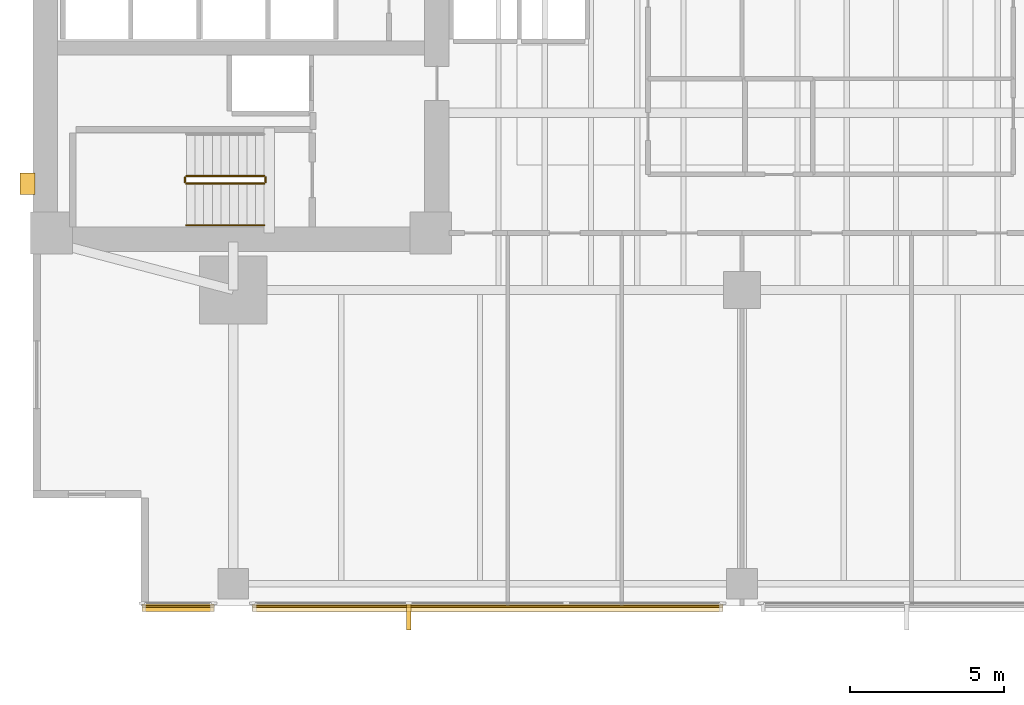
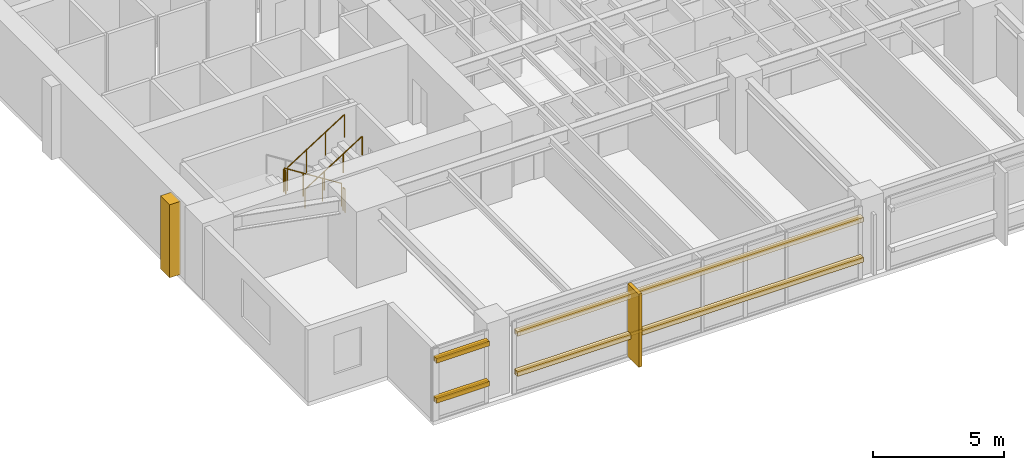
# One storey, part 12 of 15: 6 coverings, 5 railings, 4 shading devices.
"""IFC4 building model written with IfcOpenShell, lengths in metres."""

import ifcopenshell
import ifcopenshell.guid

model = None  # the IFC model being written
_history = None  # IfcOwnerHistory: only IFC2X3 demands one
_inside = {}  # id of a spatial element -> (the spatial element, [elements in it])
_under = {}  # id of a project, library or spatial element -> (it, [spatial elements below it])
_declared = {}  # id of a project -> (the project, [libraries it declares])
_typed = {}  # id of a type object -> (the type object, [elements of that type])
_made_of = {}  # id of a material, layer set ... -> (it, [elements and type objects made of it])


def new_model(schema):
    """Start an empty IFC model of exactly this schema.

    Asked for "IFC4X3", IfcOpenShell would pick the latest addendum, in which some entities
    have other attributes; the version numbers below select the first issue.
    IFC2X3 requires an IfcOwnerHistory on every rooted entity: one is made here for all.
    """
    global model, _history
    if schema == "IFC4X3":
        model = ifcopenshell.file(schema_version=(4, 3, 0, 0))
    else:
        model = ifcopenshell.file(schema=schema)
    _inside.clear()
    _under.clear()
    _declared.clear()
    _typed.clear()
    _made_of.clear()
    _history = None
    if model.schema == "IFC2X3":
        org = make("IfcOrganization", Name="unknown")
        user = make(
            "IfcPersonAndOrganization",
            ThePerson=make("IfcPerson", FamilyName="unknown"),
            TheOrganization=org,
        )
        app = make(
            "IfcApplication",
            ApplicationDeveloper=org,
            Version="unknown",
            ApplicationFullName="unknown",
            ApplicationIdentifier="unknown",
        )
        _history = make(
            "IfcOwnerHistory",
            OwningUser=user,
            OwningApplication=app,
            ChangeAction="ADDED",
            CreationDate=0,
        )
    return model


def make(cls, **values):
    """One entity of the class cls with the attributes given. An attribute that is None is left unset."""
    return model.create_entity(
        cls, **{name: value for name, value in values.items() if value is not None}
    )


def rooted(cls, **values):
    """An entity with a GlobalId (a new one), such as an element, a storey or a relation."""
    return make(cls, GlobalId=ifcopenshell.guid.new(), OwnerHistory=_history, **values)


def si_unit(unit_type, name, prefix=None):
    """IfcSIUnit, for example si_unit("LENGTHUNIT", "METRE", prefix="MILLI")."""
    return make("IfcSIUnit", UnitType=unit_type, Prefix=prefix, Name=name)


def assignment(units):
    """IfcUnitAssignment: the units of a project."""
    return None if units is None else make("IfcUnitAssignment", Units=units)


def point(xyz):
    """IfcCartesianPoint."""
    return None if xyz is None else make("IfcCartesianPoint", Coordinates=xyz)


def direction(xyz):
    """IfcDirection."""
    return None if xyz is None else make("IfcDirection", DirectionRatios=xyz)


def frame(location, z_axis=None, x_axis=None):
    """IfcAxis2Placement3D, a coordinate frame: its origin and axes. An axis left out is left unset."""
    return make(
        "IfcAxis2Placement3D",
        Location=point(location),
        Axis=direction(z_axis),
        RefDirection=direction(x_axis),
    )


def frame_2d(location, x_axis=None):
    """IfcAxis2Placement2D, a coordinate frame in the plane: its origin and x axis."""
    return make(
        "IfcAxis2Placement2D", Location=point(location), RefDirection=direction(x_axis)
    )


def origin():
    """The frame at (0, 0, 0) with its axes left unset."""
    return frame((0.0, 0.0, 0.0))


def origin_2d():
    """The frame at (0, 0) in the plane with its x axis left unset."""
    return frame_2d((0.0, 0.0))


def place(relative_to, where):
    """IfcLocalPlacement: puts the frame where relative to a parent placement (None: the world)."""
    return make(
        "IfcLocalPlacement", PlacementRelTo=relative_to, RelativePlacement=where
    )


def context(
    kind, dimensions, precision=None, world=None, true_north=None, identifier=None
):
    """IfcGeometricRepresentationContext, for example the 3D "Model" context."""
    return make(
        "IfcGeometricRepresentationContext",
        ContextIdentifier=identifier,
        ContextType=kind,
        CoordinateSpaceDimension=dimensions,
        Precision=precision,
        WorldCoordinateSystem=world,
        TrueNorth=true_north,
    )


def subcontext(parent, identifier, kind, view, scale=None):
    """IfcGeometricRepresentationSubContext, for example "Body" below "Model"."""
    return make(
        "IfcGeometricRepresentationSubContext",
        ContextIdentifier=identifier,
        ContextType=kind,
        ParentContext=parent,
        TargetScale=scale,
        TargetView=view,
    )


def project(units=None, contexts=None):
    """IfcProject with its units and contexts."""
    return rooted(
        "IfcProject",
        Name="project",
        RepresentationContexts=contexts,
        UnitsInContext=assignment(units),
    )


def spatial(cls, under=None, at=None, **own):
    """A site, building, storey or space (cls), placed at a placement, below another one or the project."""
    s = rooted(cls, ObjectPlacement=at, **own)
    if under is not None:
        _under.setdefault(under.id(), (under, []))[1].append(s)
    return s


def polyline(points):
    """IfcPolyline through the points."""
    return make("IfcPolyline", Points=[point(p) for p in points])


def profile(cls, at=None, kind="AREA", **sizes):
    """A parametric profile (cls). Its sizes go by their IFC names, for example OverallWidth=200.0."""
    return make(cls, ProfileType=kind, Position=at, **sizes)


def rectangle(**sizes):
    """IfcRectangleProfileDef."""
    return profile("IfcRectangleProfileDef", **sizes)


def circle(**sizes):
    """IfcCircleProfileDef."""
    return profile("IfcCircleProfileDef", **sizes)


def outline(outer, holes=None, kind="AREA"):
    """IfcArbitraryClosedProfileDef: a profile drawn as a closed curve; with holes, ...WithVoids."""
    if holes is None:
        return make("IfcArbitraryClosedProfileDef", ProfileType=kind, OuterCurve=outer)
    return make(
        "IfcArbitraryProfileDefWithVoids",
        ProfileType=kind,
        OuterCurve=outer,
        InnerCurves=holes,
    )


def extrude(swept, where, along, depth):
    """IfcExtrudedAreaSolid: the profile swept, set in the frame where, extruded along a direction by depth."""
    return make(
        "IfcExtrudedAreaSolid",
        SweptArea=swept,
        Position=where,
        ExtrudedDirection=direction(along),
        Depth=depth,
    )


def shape(context_of_items, identifier, shape_type, items):
    """IfcShapeRepresentation: the items that make up one representation, for example the "Body"."""
    return make(
        "IfcShapeRepresentation",
        ContextOfItems=context_of_items,
        RepresentationIdentifier=identifier,
        RepresentationType=shape_type,
        Items=items,
    )


def material(Name=None, Category=None):
    """IfcMaterial."""
    return make("IfcMaterial", Name=Name, Category=Category)


def layer(
    of_material, thickness, ventilated=None, Name=None, Category=None, Priority=None
):
    """IfcMaterialLayer: one layer of a wall or slab, of a material (None: an air gap)."""
    return make(
        "IfcMaterialLayer",
        Material=of_material,
        LayerThickness=thickness,
        IsVentilated=ventilated,
        Name=Name,
        Category=Category,
        Priority=Priority,
    )


def layer_set(layers, Name=None):
    """IfcMaterialLayerSet."""
    return make("IfcMaterialLayerSet", MaterialLayers=layers, LayerSetName=Name)


def material_profile(
    of_material, cross_section, Name=None, Category=None, Priority=None
):
    """IfcMaterialProfile: a cross section and its material."""
    return make(
        "IfcMaterialProfile",
        Name=Name,
        Material=of_material,
        Profile=cross_section,
        Priority=Priority,
        Category=Category,
    )


def profile_set(profiles, Name=None, composite=None):
    """IfcMaterialProfileSet."""
    return make(
        "IfcMaterialProfileSet",
        Name=Name,
        MaterialProfiles=profiles,
        CompositeProfile=composite,
    )


def made_of(thing, what):
    """Note that an element or type object is made of a material, layer set ...; save() writes the relation."""
    if what is not None:
        _made_of.setdefault(what.id(), (what, []))[1].append(thing)
    return thing


def type_object(cls, material=None, **own):
    """A type object (cls), such as IfcWallType, which elements share."""
    return made_of(rooted(cls, **own), material)


def element(
    cls,
    number,
    at=None,
    inside=None,
    cuts=None,
    type_object=None,
    material=None,
    context=None,
    identifier="Body",
    shape_type=None,
    held_by="IfcProductDefinitionShape",
    body=None,
    shapes=None,
    **own,
):
    """One element of the class cls, such as IfcWall. Its Tag is "e" and its number.

    at: its placement. inside: the storey or other place that contains it. cuts: it is an
    opening in that element (IfcRelVoidsElement). A single representation is given by context,
    identifier, shape_type and body (its items); several are given by shapes. held_by: the class
    of the entity that holds the representations. save() writes the other relations.
    """
    e = rooted(cls, Tag="e%d" % number, ObjectPlacement=at, **own)
    if body is not None:
        shapes = [shape(context, identifier, shape_type, body)]
    if shapes is not None:
        e.Representation = make(held_by, Representations=shapes)
    if inside is not None:
        _inside.setdefault(inside.id(), (inside, []))[1].append(e)
    if cuts is not None:
        rooted(
            "IfcRelVoidsElement", RelatingBuildingElement=cuts, RelatedOpeningElement=e
        )
    if type_object is not None:
        _typed.setdefault(type_object.id(), (type_object, []))[1].append(e)
    return made_of(e, material)


def aggregate(whole, parts):
    """IfcRelAggregates: a whole, such as a stair, and the parts it consists of."""
    return rooted("IfcRelAggregates", RelatingObject=whole, RelatedObjects=parts)


def save(model, path):
    """Write the relations noted so far, then the file.

    IfcRelAggregates (storeys below a building ...), IfcRelContainedInSpatialStructure (elements
    in a storey), IfcRelDefinesByType, IfcRelAssociatesMaterial and IfcRelDeclares: one each for
    every whole, place, type object, material and project.
    """
    for whole, parts in _under.values():
        aggregate(whole, parts)
    for where, things in _inside.values():
        rooted(
            "IfcRelContainedInSpatialStructure",
            RelatedElements=things,
            RelatingStructure=where,
        )
    for kind, things in _typed.values():
        rooted("IfcRelDefinesByType", RelatedObjects=things, RelatingType=kind)
    for what, things in _made_of.values():
        rooted("IfcRelAssociatesMaterial", RelatedObjects=things, RelatingMaterial=what)
    for by, libraries in _declared.values():
        rooted("IfcRelDeclares", RelatingContext=by, RelatedDefinitions=libraries)
    model.write(path)


model = new_model("IFC4")

# Units and contexts
model_context = context("Model", 3, precision=1e-05, world=origin(), true_north=direction((0.0, 1.0)))
body_context = subcontext(model_context, "Body", "Model", "MODEL_VIEW")
ifc_project = project(units=[si_unit("LENGTHUNIT", "METRE"), si_unit("AREAUNIT", "SQUARE_METRE"), si_unit("VOLUMEUNIT", "CUBIC_METRE"), si_unit("PLANEANGLEUNIT", "RADIAN"), si_unit("MASSUNIT", "GRAM", prefix="KILO")], contexts=[model_context])

# Site, building, storey
site_placement = place(None, origin())
site = spatial("IfcSite", under=ifc_project, at=site_placement, CompositionType="ELEMENT")
building_placement = place(site_placement, origin())
building = spatial("IfcBuilding", under=site, at=building_placement, Name="Kinhvarn Gate Tower", CompositionType="ELEMENT")
storey_placement = place(building_placement, frame((0.0, 0.0, 57.550048828125)))
storey = spatial("IfcBuildingStorey", under=building, at=storey_placement, Name="L14", CompositionType="ELEMENT", Elevation=57.550048828125)

# Coverings
ifc_material_1 = material(Name="Fired architectural terracotta", Category="masonry")
ifc_layer_1 = layer(ifc_material_1, 0.239990234375)
ifc_layer_set_1 = layer_set([ifc_layer_1], Name="Fired architectural terracotta")
covering_type_1 = type_object("IfcCoveringType", Name="COV-BAG-220", PredefinedType="CLADDING", material=ifc_layer_set_1)
for number, where, name in (
    (1, (0.0, 0.0, 0.93994140625), "Terracotta Horizontal Sunscreen Band TBG-220 (L14)"),
    (2, (0.0, 0.0, 2.81005859375), "Terracotta Horizontal Sunscreen Band TBG-220 (L14)"),
):
    element("IfcCovering", number, at=place(storey_placement, frame(where)), inside=storey, type_object=covering_type_1, Name=name, PredefinedType="CLADDING", context=body_context, shape_type="SweptSolid", body=[
        extrude(outline(polyline([(8.0400390625, 2.56005859375), (10.3798828125, 2.56005859375), (10.3798828125, 2.320068359375), (8.0400390625, 2.320068359375), (8.0400390625, 2.56005859375)])), origin(), (0.0, 0.0, 1.0), 0.219970703125),
    ])
for number, where, name in (
    (3, (0.0, 0.0, 0.93994140625), "Terracotta Horizontal Sunscreen Band TBG-220 (L14)"),
    (4, (0.0, 0.0, 2.81005859375), "Terracotta Horizontal Sunscreen Band TBG-220 (L14)"),
):
    element("IfcCovering", number, at=place(storey_placement, frame(where)), inside=storey, type_object=covering_type_1, Name=name, PredefinedType="CLADDING", context=body_context, shape_type="SweptSolid", body=[
        extrude(outline(polyline([(11.6201171875, 2.56005859375), (26.8798828125, 2.56005859375), (26.8798828125, 2.320068359375), (11.6201171875, 2.320068359375), (11.6201171875, 2.56005859375)])), origin(), (0.0, 0.0, 1.0), 0.219970703125),
    ])
ifc_layer_2 = layer(ifc_material_1, 0.139892578125)
ifc_layer_set_2 = layer_set([ifc_layer_2], Name="Fired architectural terracotta")
covering_type_2 = type_object("IfcCoveringType", Name="COV-FIN-850", PredefinedType="CLADDING", material=ifc_layer_set_2)
covering_1_placement = place(storey_placement, frame((0.0, 0.0, -0.02001953125)))
element("IfcCovering", 5, at=covering_1_placement, inside=storey, type_object=covering_type_2, Name="Vertical Terracotta Expressive Fin TFN-850 (L14)", PredefinedType="CLADDING", context=body_context, shape_type="SweptSolid", body=[
    extrude(outline(polyline([(16.623291015625, 2.570068359375), (16.76318359375, 2.570068359375), (16.76318359375, 1.719970703125), (16.623291015625, 1.719970703125), (16.623291015625, 2.570068359375)])), origin(), (0.0, 0.0, 1.0), 3.409912109375),
])
ifc_material_2 = material(Name="Precast white architectural concrete C40/50", Category="concrete")
ifc_layer_3 = layer(ifc_material_2, 0.47998046875)
ifc_layer_set_3 = layer_set([ifc_layer_3], Name="Precast white architectural concrete C40/50")
covering_type_3 = type_object("IfcCoveringType", Name="COV-RIB-450", PredefinedType="CLADDING", material=ifc_layer_set_3)
covering_2_placement = place(storey_placement, frame((0.0, 0.0, -0.02001953125)))
element("IfcCovering", 6, at=covering_2_placement, inside=storey, type_object=covering_type_3, Name="West Core Sculptural Concrete Relief Rib CRB-450 (L14)", PredefinedType="CLADDING", context=body_context, shape_type="SweptSolid", body=[
    extrude(outline(polyline([(4.080078125, 15.85009765625), (4.56005859375, 15.85009765625), (4.56005859375, 16.550048828125), (4.080078125, 16.550048828125), (4.080078125, 15.85009765625)])), origin(), (0.0, 0.0, 1.0), 3.409912109375),
])

# Railings
ifc_material_3 = material(Name="Steel S355", Category="steel")
railing_type_1 = type_object("IfcRailingType", Name="RL-ST-GRD", PredefinedType="BALUSTRADE", material=ifc_material_3)
railing_1_placement = place(storey_placement, frame((12.0, 16.449951171875, 0.177490234375)))
element("IfcRailing", 7, at=railing_1_placement, inside=storey, type_object=railing_type_1, Name="L14 ST1 stair guard 1", PredefinedType="BALUSTRADE", context=body_context, shape_type="SweptSolid", body=[
    extrude(circle(Radius=0.02392578125, at=origin_2d()), frame((0.0, 0.0, 1.076171875), z_axis=(-0.84460694969, 0.0, 0.535386869969), x_axis=(0.0, -1.0, 0.0)), (0.0, 0.0, 1.0), 2.983642578125),
    extrude(circle(Radius=0.02099609375, at=origin_2d()), origin(), (0.0, 0.0, 1.0), 1.052001953125),
    extrude(circle(Radius=0.02099609375, at=origin_2d()), frame((-0.840087890625, 0.0, 0.532470703125)), (0.0, 0.0, 1.0), 1.052001953125),
    extrude(circle(Radius=0.02099609375, at=origin_2d()), frame((-1.679931640625, 0.0, 1.06494140625)), (0.0, 0.0, 1.0), 1.052001953125),
    extrude(circle(Radius=0.02099609375, at=origin_2d()), frame((-2.52001953125, 0.0, 1.597412109375)), (0.0, 0.0, 1.0), 1.052001953125),
])
railing_2_placement = place(storey_placement, frame((9.429931640625, 16.39990234375, 1.77490234375)))
element("IfcRailing", 8, at=railing_2_placement, inside=storey, type_object=railing_type_1, Name="L14 ST1 stair guard 2", PredefinedType="BALUSTRADE", context=body_context, shape_type="SweptSolid", body=[
    extrude(circle(Radius=0.02392578125, at=origin_2d()), frame((0.0, 0.0, 1.076171875), z_axis=(0.0, -1.0, 0.0), x_axis=(1.0, 0.0, 0.0)), (0.0, 0.0, 1.0), 0.14990234375),
    extrude(circle(Radius=0.02099609375, at=origin_2d()), origin(), (0.0, 0.0, 1.0), 1.052001953125),
    extrude(circle(Radius=0.02099609375, at=origin_2d()), frame((0.0, -0.14990234375, 0.0)), (0.0, 0.0, 1.0), 1.052001953125),
])
railing_3_placement = place(storey_placement, frame((9.47998046875, 16.199951171875, 1.952392578125)))
element("IfcRailing", 9, at=railing_3_placement, inside=storey, type_object=railing_type_1, Name="L14 ST1 stair guard 3", PredefinedType="BALUSTRADE", context=body_context, shape_type="SweptSolid", body=[
    extrude(circle(Radius=0.02392578125, at=origin_2d()), frame((0.0, 0.0, 1.076171875), z_axis=(0.84456994832, 0.0, 0.535445237532), x_axis=(0.0, 1.0, 0.0)), (0.0, 0.0, 1.0), 2.98388671875),
    extrude(circle(Radius=0.02099609375, at=origin_2d()), origin(), (0.0, 0.0, 1.0), 1.052001953125),
    extrude(circle(Radius=0.02099609375, at=origin_2d()), frame((0.840087890625, 0.0, 0.532470703125)), (0.0, 0.0, 1.0), 1.052001953125),
    extrude(circle(Radius=0.02099609375, at=origin_2d()), frame((1.679931640625, 0.0, 1.065185546875)), (0.0, 0.0, 1.0), 1.052001953125),
    extrude(circle(Radius=0.02099609375, at=origin_2d()), frame((2.52001953125, 0.0, 1.59765625)), (0.0, 0.0, 1.0), 1.052001953125),
])
railing_4_placement = place(storey_placement, frame((12.050048828125, 16.39990234375, 0.0)))
element("IfcRailing", 10, at=railing_4_placement, inside=storey, type_object=railing_type_1, Name="L14 ST1 stair guard 4", PredefinedType="BALUSTRADE", context=body_context, shape_type="SweptSolid", body=[
    extrude(circle(Radius=0.02392578125, at=origin_2d()), frame((0.0, 0.0, 1.076171875), z_axis=(0.0, -1.0, 0.0), x_axis=(1.0, 0.0, 0.0)), (0.0, 0.0, 1.0), 0.14990234375),
    extrude(circle(Radius=0.02099609375, at=origin_2d()), origin(), (0.0, 0.0, 1.0), 1.052001953125),
    extrude(circle(Radius=0.02099609375, at=origin_2d()), frame((0.0, -0.14990234375, 0.0)), (0.0, 0.0, 1.0), 1.052001953125),
])
railing_type_2 = type_object("IfcRailingType", Name="RL-ST-HND", PredefinedType="HANDRAIL", material=ifc_material_3)
railing_5_placement = place(storey_placement, frame((9.47998046875, 14.85009765625, 1.952392578125)))
element("IfcRailing", 11, at=railing_5_placement, inside=storey, type_object=railing_type_2, Name="L14 ST1 stair handrail 2", PredefinedType="HANDRAIL", context=body_context, shape_type="SweptSolid", body=[
    extrude(circle(Radius=0.02392578125, at=origin_2d()), frame((0.0, 0.0, 0.8759765625), z_axis=(0.84456994832, 0.0, 0.535445237532), x_axis=(0.0, 1.0, 0.0)), (0.0, 0.0, 1.0), 2.98388671875),
    extrude(circle(Radius=0.02099609375, at=origin_2d()), origin(), (0.0, 0.0, 1.0), 0.851806640625),
    extrude(circle(Radius=0.02099609375, at=origin_2d()), frame((0.840087890625, 0.0, 0.532470703125)), (0.0, 0.0, 1.0), 0.851806640625),
    extrude(circle(Radius=0.02099609375, at=origin_2d()), frame((1.679931640625, 0.0, 1.065185546875)), (0.0, 0.0, 1.0), 0.851806640625),
    extrude(circle(Radius=0.02099609375, at=origin_2d()), frame((2.52001953125, 0.0, 1.59765625)), (0.0, 0.0, 1.0), 0.851806640625),
])

# Shading devices
ifc_material_profile = material_profile(ifc_material_1, rectangle(XDim=0.06005859375, YDim=0.139892578125, at=origin_2d()), Name="TC 60x140")
ifc_profile_set = profile_set([ifc_material_profile], Name="Fired architectural terracotta")
shading_device_type = type_object("IfcShadingDeviceType", Name="SHD-BAG-180", PredefinedType="USERDEFINED", material=ifc_profile_set)
for number, where, z_axis, x_axis, name in (
    (12, (8.0400390625, 2.485107421875, 1.050048828125), (1.0, 0.0, 0.0), (0.0, 1.0, 0.0), "Fired Terracotta Baguette Screen Rod 60x140 mm (L14)"),
    (13, (8.0400390625, 2.485107421875, 2.919921875), (1.0, 0.0, 0.0), (0.0, 1.0, 0.0), "Fired Terracotta Baguette Screen Rod 60x140 mm (L14)"),
):
    element("IfcShadingDevice", number, at=place(storey_placement, frame(where, z_axis=z_axis, x_axis=x_axis)), inside=storey, type_object=shading_device_type, Name=name, ObjectType="BAGUETTE", PredefinedType="USERDEFINED", context=body_context, shape_type="SweptSolid", body=[
        extrude(rectangle(XDim=0.06005859375, YDim=0.139892578125, at=origin_2d()), origin(), (0.0, 0.0, 1.0), 2.33984375),
    ])
for number, where, z_axis, x_axis, name in (
    (14, (11.6201171875, 2.485107421875, 1.050048828125), (1.0, 0.0, 0.0), (0.0, 1.0, 0.0), "Fired Terracotta Baguette Screen Rod 60x140 mm (L14)"),
    (15, (11.6201171875, 2.485107421875, 2.919921875), (1.0, 0.0, 0.0), (0.0, 1.0, 0.0), "Fired Terracotta Baguette Screen Rod 60x140 mm (L14)"),
):
    element("IfcShadingDevice", number, at=place(storey_placement, frame(where, z_axis=z_axis, x_axis=x_axis)), inside=storey, type_object=shading_device_type, Name=name, ObjectType="BAGUETTE", PredefinedType="USERDEFINED", context=body_context, shape_type="SweptSolid", body=[
        extrude(rectangle(XDim=0.06005859375, YDim=0.139892578125, at=origin_2d()), origin(), (0.0, 0.0, 1.0), 15.259765625),
    ])

save(model, "model.ifc")
